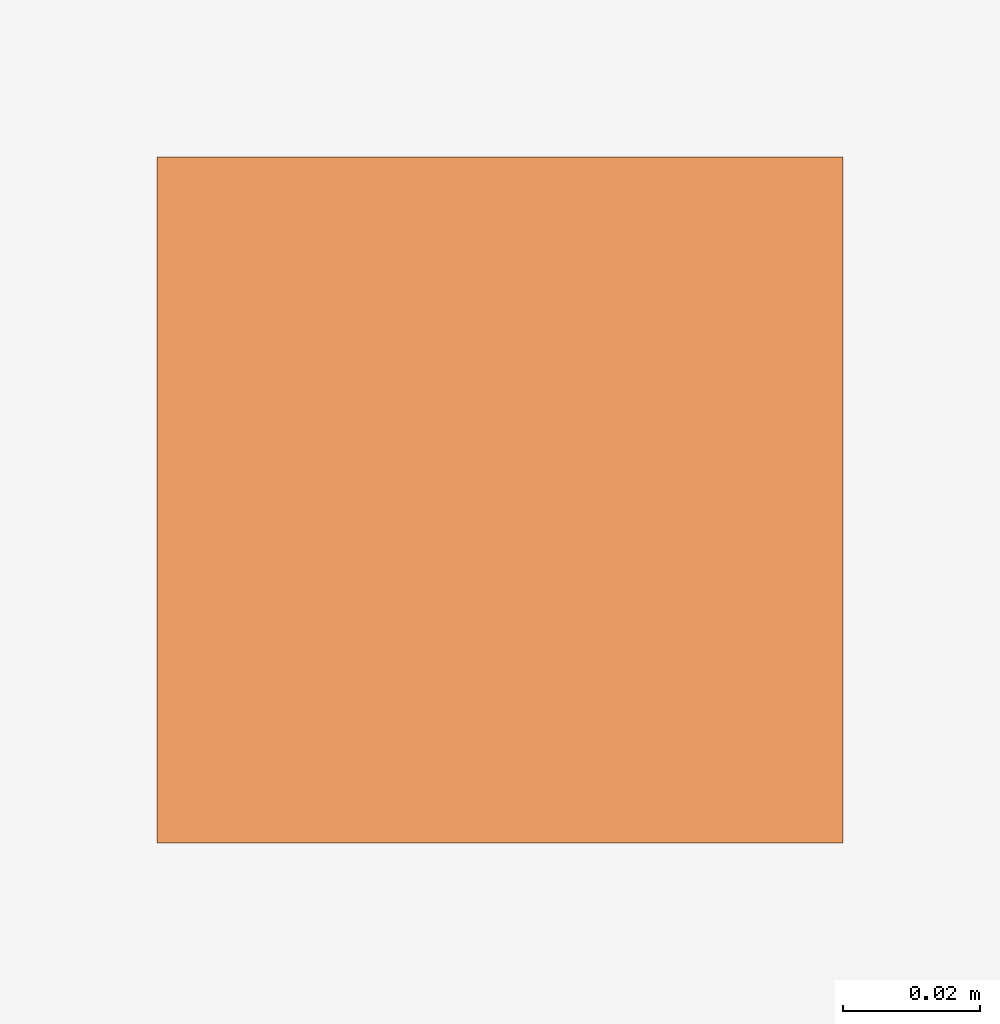
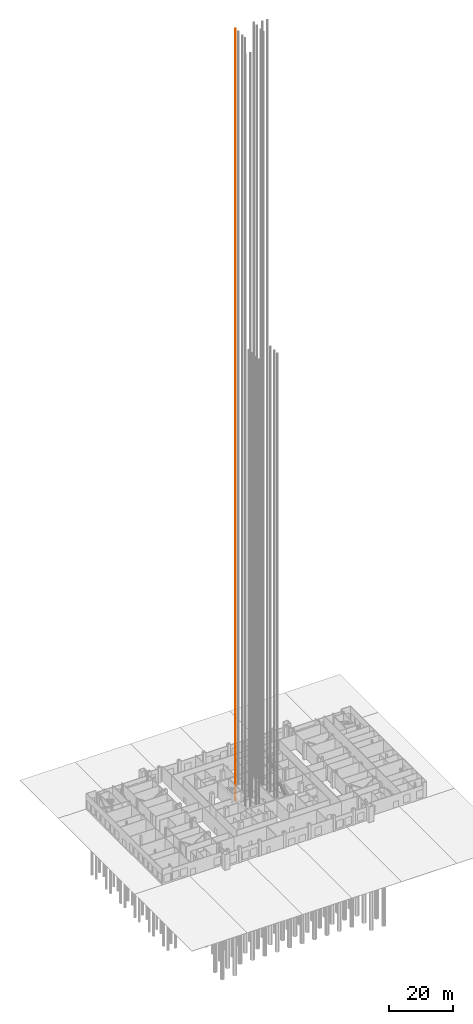
# One storey, part 32 of 36: 1 proxy.
"""IFC4 building model written with IfcOpenShell, lengths in metres."""

from ifc_helpers import new_model, si_unit, direction, frame, origin, origin_2d, place, context, subcontext, project, spatial, rectangle, extrude, material, type_object, element, save


model = new_model("IFC4")

# Units and contexts
model_context = context("Model", 3, precision=1e-05, world=origin(), true_north=direction((0.0, 1.0)))
body_context = subcontext(model_context, "Body", "Model", "MODEL_VIEW")
ifc_project = project(units=[si_unit("LENGTHUNIT", "METRE"), si_unit("AREAUNIT", "SQUARE_METRE"), si_unit("VOLUMEUNIT", "CUBIC_METRE"), si_unit("PLANEANGLEUNIT", "RADIAN"), si_unit("MASSUNIT", "GRAM", prefix="KILO")], contexts=[model_context])

# Site, building, storey
site_placement = place(None, origin())
site = spatial("IfcSite", under=ifc_project, at=site_placement, CompositionType="ELEMENT")
building_placement = place(site_placement, origin())
building = spatial("IfcBuilding", under=site, at=building_placement, Name="Malebo Sky Hospital", CompositionType="ELEMENT")
storey_placement = place(building_placement, origin())
storey = spatial("IfcBuildingStorey", under=building, at=storey_placement, Name="L00", CompositionType="ELEMENT", Elevation=0.0)

# Proxy
ifc_material = material(Name="Steel S355", Category="steel")
building_element_proxy_type = type_object("IfcBuildingElementProxyType", Name="LIFT GUIDE RAIL 100", PredefinedType="USERDEFINED", material=ifc_material)
proxy_placement = place(storey_placement, frame((56.64990234375, 69.324951171875, 0.0)))
element("IfcBuildingElementProxy", 1, at=proxy_placement, inside=storey, type_object=building_element_proxy_type, Name="Lift W4 guide rail 2", ObjectType="LIFT GUIDE RAIL", PredefinedType="USERDEFINED", context=body_context, shape_type="SweptSolid", body=[
    extrude(rectangle(XDim=0.10009765625, YDim=0.10009765625, at=origin_2d()), frame((0.0, 0.0, -2.25)), (0.0, 0.0, 1.0), 295.75),
])

save(model, "model.ifc")
